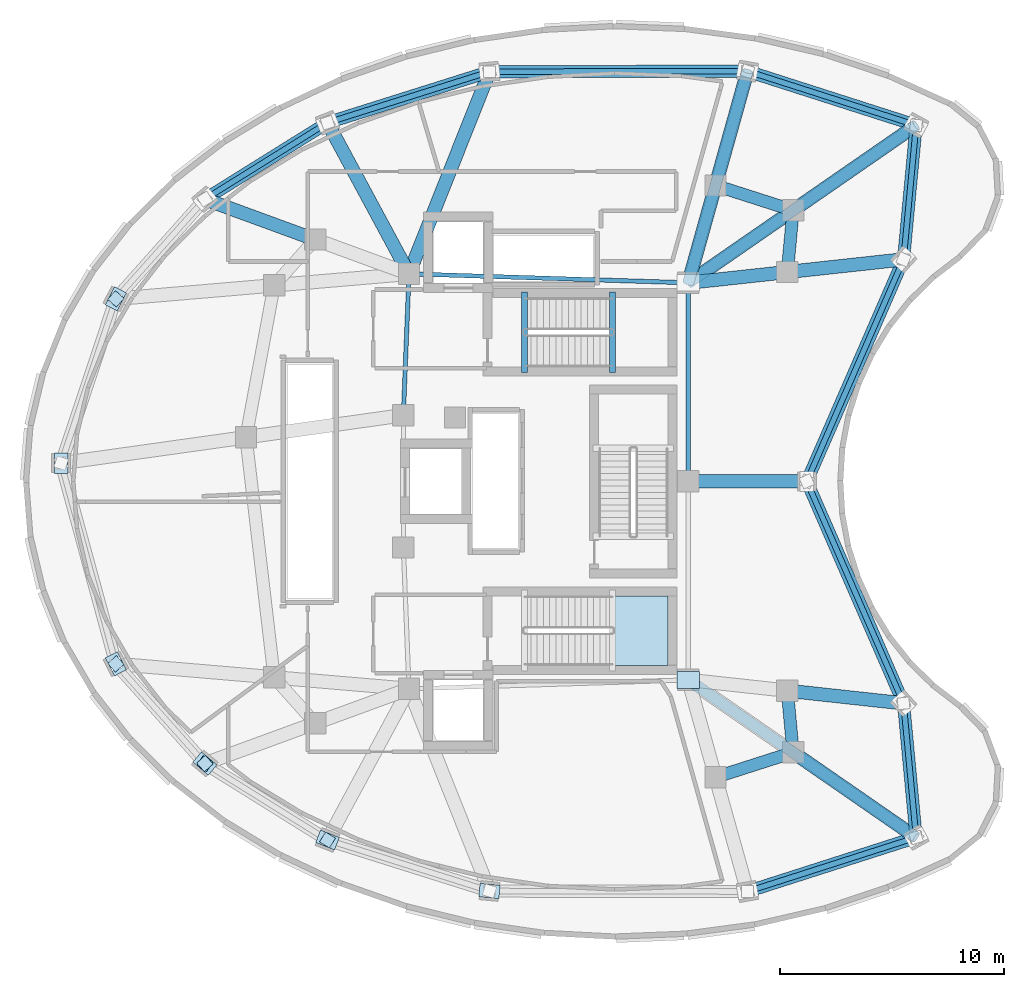
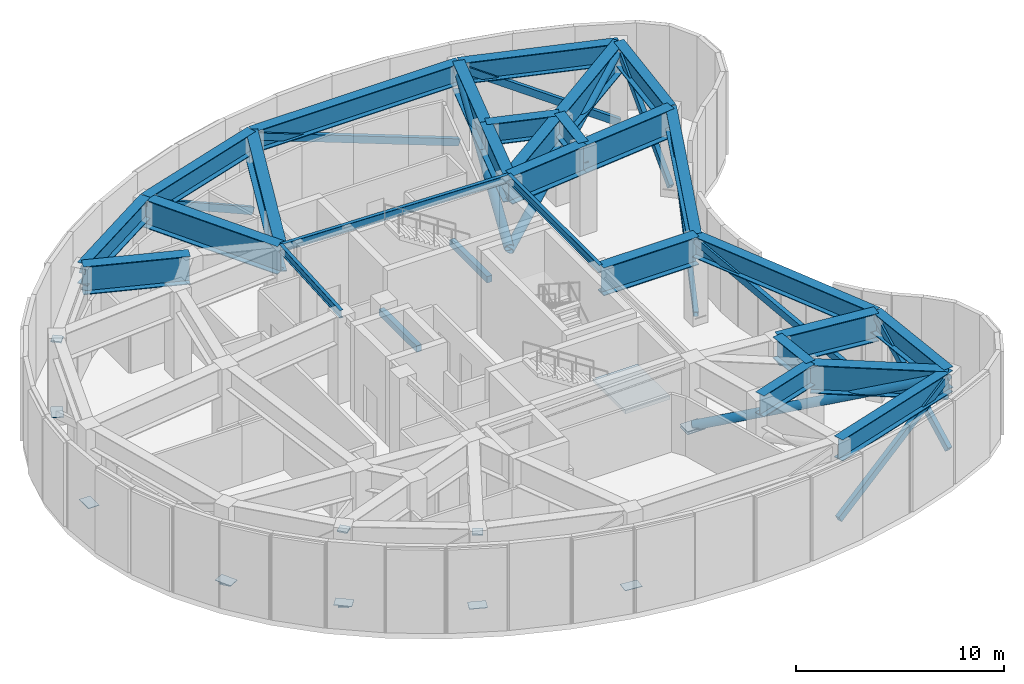
# One storey, part 2 of 9: 30 beams, 13 plates, 12 members, 1 slab, 1 element without a shape of its own.
"""IFC4 building model written with IfcOpenShell, lengths in metres."""

from ifc_helpers import new_model, si_unit, direction, frame, origin, origin_2d, place, context, subcontext, project, spatial, polyline, rectangle, hollow_rectangle, hollow_circle, i_section, outline, extrude, material, layer, layer_set, material_profile, profile_set, type_object, element, aggregate, save


model = new_model("IFC4")

# Units and contexts
model_context = context("Model", 3, precision=1e-05, world=origin(), true_north=direction((0.0, 1.0)))
body_context = subcontext(model_context, "Body", "Model", "MODEL_VIEW")
ifc_project = project(units=[si_unit("LENGTHUNIT", "METRE"), si_unit("AREAUNIT", "SQUARE_METRE"), si_unit("VOLUMEUNIT", "CUBIC_METRE"), si_unit("PLANEANGLEUNIT", "RADIAN"), si_unit("MASSUNIT", "GRAM", prefix="KILO")], contexts=[model_context])

# Site, building, storey
site_placement = place(None, origin())
site = spatial("IfcSite", under=ifc_project, at=site_placement, CompositionType="ELEMENT")
building_placement = place(site_placement, origin())
building = spatial("IfcBuilding", under=site, at=building_placement, Name="Korentha Bioscience Tower", CompositionType="ELEMENT")
storey_placement = place(building_placement, frame((0.0, 0.0, 277.199951171875)))
storey = spatial("IfcBuildingStorey", under=building, at=storey_placement, Name="L64", CompositionType="ELEMENT", Elevation=277.199951171875)

# Members
ifc_material_1 = material(Name="Steel S355", Category="steel")
ifc_material_profile_1 = material_profile(ifc_material_1, hollow_rectangle(XDim=0.25, YDim=0.39990234375, WallThickness=0.02001953125, at=origin_2d()), Name="Steel S355")
ifc_profile_set_1 = profile_set([ifc_material_profile_1], Name="Steel S355 (BT-D400)")
member_type_1 = type_object("IfcMemberType", Name="Belt-Truss Web Diagonal RHS 400x250x20", PredefinedType="BRACE", material=ifc_profile_set_1)
member_1_placement = place(storey_placement, frame((47.7060546875, 42.873046875, 0.35009765625), z_axis=(-0.831782855289, 0.266598454462, 0.486890691763), x_axis=(-0.305220120468, -0.952281827014, 0.0)))
element("IfcMember", 1, at=member_1_placement, inside=storey, type_object=member_type_1, Name="L64 Perimeter Belt-Truss Diagonal 01", PredefinedType="BRACE", context=body_context, shape_type="SweptSolid", body=[
    extrude(hollow_rectangle(XDim=0.25, YDim=0.39990234375, WallThickness=0.02001953125, at=origin_2d()), origin(), (0.0, 0.0, 1.0), 9.03662109375),
])
member_2_placement = place(storey_placement, frame((40.189453125, 45.2822265625, 0.35009765625), z_axis=(-0.933988543115, -0.001744661257, 0.357298695054), x_axis=(0.001867965325, -0.999998255351, 0.0)))
element("IfcMember", 2, at=member_2_placement, inside=storey, type_object=member_type_1, Name="L64 Perimeter Belt-Truss Diagonal 02", PredefinedType="BRACE", context=body_context, shape_type="SweptSolid", body=[
    extrude(hollow_rectangle(XDim=0.25, YDim=0.39990234375, WallThickness=0.02001953125, at=origin_2d()), origin(), (0.0, 0.0, 1.0), 12.314453125),
])
member_3_placement = place(storey_placement, frame((28.68798828125, 45.2607421875, 0.35009765625), z_axis=(-0.824596353922, -0.259779501307, 0.502548966568), x_axis=(0.300479877118, -0.953788154386, 0.0)))
element("IfcMember", 3, at=member_3_placement, inside=storey, type_object=member_type_1, Name="L64 Perimeter Belt-Truss Diagonal 03", PredefinedType="BRACE", context=body_context, shape_type="SweptSolid", body=[
    extrude(hollow_rectangle(XDim=0.25, YDim=0.39990234375, WallThickness=0.02001953125, at=origin_2d()), origin(), (0.0, 0.0, 1.0), 8.755126953125),
])
member_4_placement = place(storey_placement, frame((21.468505859375, 42.986328125, 0.35009765625), z_axis=(-0.70070673259, -0.436861915914, 0.564058278307), x_axis=(0.529058264482, -0.848585501162, 0.0)))
element("IfcMember", 4, at=member_4_placement, inside=storey, type_object=member_type_1, Name="L64 Perimeter Belt-Truss Diagonal 04", PredefinedType="BRACE", context=body_context, shape_type="SweptSolid", body=[
    extrude(hollow_rectangle(XDim=0.25, YDim=0.39990234375, WallThickness=0.02001953125, at=origin_2d()), origin(), (0.0, 0.0, 1.0), 7.800537109375),
])
member_5_placement = place(storey_placement, frame((40.189453125, 8.7177734375, 0.35009765625), z_axis=(0.831782855289, 0.266598454462, 0.486890691763), x_axis=(-0.305220120468, 0.952281827014, 0.0)))
element("IfcMember", 5, at=member_5_placement, inside=storey, type_object=member_type_1, Name="L64 Perimeter Belt-Truss Diagonal 12", PredefinedType="BRACE", context=body_context, shape_type="SweptSolid", body=[
    extrude(hollow_rectangle(XDim=0.25, YDim=0.39990234375, WallThickness=0.02001953125, at=origin_2d()), origin(), (0.0, 0.0, 1.0), 9.03662109375),
])
member_6_placement = place(storey_placement, frame((47.7060546875, 11.126953125, 0.35009765625), z_axis=(-0.075307823332, 0.80306478504, 0.591113933834), x_axis=(-0.995631863809, -0.093365902602, 0.0)))
element("IfcMember", 6, at=member_6_placement, inside=storey, type_object=member_type_1, Name="L64 Perimeter Belt-Truss Diagonal 13", PredefinedType="BRACE", context=body_context, shape_type="SweptSolid", body=[
    extrude(hollow_rectangle(XDim=0.25, YDim=0.39990234375, WallThickness=0.02001953125, at=origin_2d()), origin(), (0.0, 0.0, 1.0), 7.443359375),
])
for number, where, z_axis, x_axis, name in (
    (7, (47.1455078125, 17.1044921875, 0.35009765625), (-0.369887659972, 0.848940353, 0.377469728653), (-0.916760533296, -0.399437259894, 0.0), "L64 Perimeter Belt-Truss Diagonal 14"),
    (8, (42.833984375, 27.0, 0.35009765625), (0.369887659972, 0.848940353, 0.377469728653), (-0.916760533296, 0.399437259894, 0.0), "L64 Perimeter Belt-Truss Diagonal 15"),
):
    element("IfcMember", number, at=place(storey_placement, frame(where, z_axis=z_axis, x_axis=x_axis)), inside=storey, type_object=member_type_1, Name=name, PredefinedType="BRACE", context=body_context, shape_type="SweptSolid", body=[
        extrude(hollow_rectangle(XDim=0.25, YDim=0.39990234375, WallThickness=0.02001953125, at=origin_2d()), origin(), (0.0, 0.0, 1.0), 11.65625),
    ])
member_7_placement = place(storey_placement, frame((47.1455078125, 36.8955078125, 0.35009765625), z_axis=(0.075307823332, 0.80306478504, 0.591113933834), x_axis=(-0.995631863809, 0.093365902602, 0.0)))
element("IfcMember", 9, at=member_7_placement, inside=storey, type_object=member_type_1, Name="L64 Perimeter Belt-Truss Diagonal 16", PredefinedType="BRACE", context=body_context, shape_type="SweptSolid", body=[
    extrude(hollow_rectangle(XDim=0.25, YDim=0.39990234375, WallThickness=0.02001953125, at=origin_2d()), origin(), (0.0, 0.0, 1.0), 7.443359375),
])

# Beams
ifc_material_2 = material(Name="Concrete C50", Category="concrete")
ifc_material_profile_2 = material_profile(ifc_material_2, rectangle(XDim=0.280029296875, YDim=0.3798828125, at=origin_2d()), Name="Concrete C50")
ifc_profile_set_2 = profile_set([ifc_material_profile_2], Name="Concrete C50 (ST-HB380)")
beam_type_1 = type_object("IfcBeamType", Name="Concrete Stair Header Beam RC 280x380", PredefinedType="BEAM", material=ifc_profile_set_2)
for number, where, z_axis, x_axis, name in (
    (10, (30.25, 31.85009765625, -0.18994140625), (0.0, 1.0, 0.0), (-1.0, 0.0, 0.0), "L64 ST-1 Concrete Stair Header Beam"),
    (11, (34.169921875, 31.85009765625, 2.510009765625), (0.0, 1.0, 0.0), (-1.0, 0.0, 0.0), "L64 ST-1 Half-Landing Header Beam 1"),
):
    element("IfcBeam", number, at=place(storey_placement, frame(where, z_axis=z_axis, x_axis=x_axis)), inside=storey, type_object=beam_type_1, Name=name, PredefinedType="BEAM", context=body_context, shape_type="SweptSolid", body=[
        extrude(rectangle(XDim=0.280029296875, YDim=0.3798828125, at=origin_2d()), origin(), (0.0, 0.0, 1.0), 3.599853515625),
    ])
ifc_material_profile_3 = material_profile(ifc_material_1, i_section(OverallWidth=0.550048828125, OverallDepth=1.25, WebThickness=0.02392578125, FlangeThickness=0.0400390625, at=origin_2d()), Name="Steel S355")
ifc_profile_set_3 = profile_set([ifc_material_profile_3], Name="Steel S355 (TG-03)")
beam_type_2 = type_object("IfcBeamType", Name="Crown Step Transfer Girder CVS 1250x510", PredefinedType="USERDEFINED", material=ifc_profile_set_3)
for number, where, z_axis, x_axis, name in (
    (12, (42.2216796875, 39.08056640625, 4.47509765625), (-0.952264747125, 0.305273404318, 0.0), (-0.305273404318, -0.952264747125, 0.0), "L64 Mid-Ring Tie Girder 01"),
    (13, (38.76416015625, 13.81103515625, 4.47509765625), (0.952264747125, 0.305273404318, 0.0), (-0.305273404318, 0.952264747125, 0.0), "L64 Mid-Ring Tie Girder 12"),
):
    element("IfcBeam", number, at=place(storey_placement, frame(where, z_axis=z_axis, x_axis=x_axis)), inside=storey, type_object=beam_type_2, Name=name, ObjectType="TRANSFER_GIRDER", PredefinedType="USERDEFINED", context=body_context, shape_type="SweptSolid", body=[
        extrude(i_section(OverallWidth=0.550048828125, OverallDepth=1.25, WebThickness=0.02392578125, FlangeThickness=0.0400390625, at=origin_2d()), origin(), (0.0, 0.0, 1.0), 3.630859375),
    ])
for number, where, z_axis, x_axis, name in (
    (14, (42.2216796875, 14.91943359375, 4.47509765625), (-0.093348923855, 0.995633455854, 0.0), (-0.995633455854, -0.093348923855, 0.0), "L64 Mid-Ring Tie Girder 13"),
    (15, (41.9638671875, 36.330810546875, 4.47509765625), (0.093348923855, 0.995633455854, 0.0), (-0.995633455854, 0.093348923855, 0.0), "L64 Mid-Ring Tie Girder 16"),
):
    element("IfcBeam", number, at=place(storey_placement, frame(where, z_axis=z_axis, x_axis=x_axis)), inside=storey, type_object=beam_type_2, Name=name, ObjectType="TRANSFER_GIRDER", PredefinedType="USERDEFINED", context=body_context, shape_type="SweptSolid", body=[
        extrude(i_section(OverallWidth=0.550048828125, OverallDepth=1.25, WebThickness=0.02392578125, FlangeThickness=0.0400390625, at=origin_2d()), origin(), (0.0, 0.0, 1.0), 2.76171875),
    ])
beam_1_placement = place(storey_placement, frame((47.7060546875, 42.873046875, 4.47509765625), z_axis=(-0.952281827014, 0.305220120468, 0.0), x_axis=(-0.305220120468, -0.952281827014, 0.0)))
element("IfcBeam", 16, at=beam_1_placement, inside=storey, type_object=beam_type_2, Name="L64 Perimeter Spandrel Girder 01", ObjectType="TRANSFER_GIRDER", PredefinedType="USERDEFINED", context=body_context, shape_type="SweptSolid", body=[
    extrude(i_section(OverallWidth=0.550048828125, OverallDepth=1.25, WebThickness=0.02392578125, FlangeThickness=0.0400390625, at=origin_2d()), origin(), (0.0, 0.0, 1.0), 7.893310546875),
])
beam_2_placement = place(storey_placement, frame((40.189453125, 45.2822265625, 4.47509765625), z_axis=(-0.999998255351, -0.001867965325, 0.0), x_axis=(0.001867965325, -0.999998255351, 0.0)))
element("IfcBeam", 17, at=beam_2_placement, inside=storey, type_object=beam_type_2, Name="L64 Perimeter Spandrel Girder 02", ObjectType="TRANSFER_GIRDER", PredefinedType="USERDEFINED", context=body_context, shape_type="SweptSolid", body=[
    extrude(i_section(OverallWidth=0.550048828125, OverallDepth=1.25, WebThickness=0.02392578125, FlangeThickness=0.0400390625, at=origin_2d()), origin(), (0.0, 0.0, 1.0), 11.50146484375),
])
beam_3_placement = place(storey_placement, frame((28.68798828125, 45.2607421875, 4.47509765625), z_axis=(-0.953788154386, -0.300479877118, 0.0), x_axis=(0.300479877118, -0.953788154386, 0.0)))
element("IfcBeam", 18, at=beam_3_placement, inside=storey, type_object=beam_type_2, Name="L64 Perimeter Spandrel Girder 03", ObjectType="TRANSFER_GIRDER", PredefinedType="USERDEFINED", context=body_context, shape_type="SweptSolid", body=[
    extrude(i_section(OverallWidth=0.550048828125, OverallDepth=1.25, WebThickness=0.02392578125, FlangeThickness=0.0400390625, at=origin_2d()), origin(), (0.0, 0.0, 1.0), 7.5693359375),
])
beam_4_placement = place(storey_placement, frame((21.468505859375, 42.986328125, 4.47509765625), z_axis=(-0.848585501162, -0.529058264482, 0.0), x_axis=(0.529058264482, -0.848585501162, 0.0)))
element("IfcBeam", 19, at=beam_4_placement, inside=storey, type_object=beam_type_2, Name="L64 Perimeter Spandrel Girder 04", ObjectType="TRANSFER_GIRDER", PredefinedType="USERDEFINED", context=body_context, shape_type="SweptSolid", body=[
    extrude(i_section(OverallWidth=0.550048828125, OverallDepth=1.25, WebThickness=0.02392578125, FlangeThickness=0.0400390625, at=origin_2d()), origin(), (0.0, 0.0, 1.0), 6.441162109375),
])
beam_5_placement = place(storey_placement, frame((40.189453125, 8.7177734375, 4.47509765625), z_axis=(0.952281827014, 0.305220120468, 0.0), x_axis=(-0.305220120468, 0.952281827014, 0.0)))
element("IfcBeam", 20, at=beam_5_placement, inside=storey, type_object=beam_type_2, Name="L64 Perimeter Spandrel Girder 12", ObjectType="TRANSFER_GIRDER", PredefinedType="USERDEFINED", context=body_context, shape_type="SweptSolid", body=[
    extrude(i_section(OverallWidth=0.550048828125, OverallDepth=1.25, WebThickness=0.02392578125, FlangeThickness=0.0400390625, at=origin_2d()), origin(), (0.0, 0.0, 1.0), 7.893310546875),
])
beam_6_placement = place(storey_placement, frame((47.7060546875, 11.126953125, 4.47509765625), z_axis=(-0.093365902602, 0.995631863809, 0.0), x_axis=(-0.995631863809, -0.093365902602, 0.0)))
element("IfcBeam", 21, at=beam_6_placement, inside=storey, type_object=beam_type_2, Name="L64 Perimeter Spandrel Girder 13", ObjectType="TRANSFER_GIRDER", PredefinedType="USERDEFINED", context=body_context, shape_type="SweptSolid", body=[
    extrude(i_section(OverallWidth=0.550048828125, OverallDepth=1.25, WebThickness=0.02392578125, FlangeThickness=0.0400390625, at=origin_2d()), origin(), (0.0, 0.0, 1.0), 6.003662109375),
])
for number, where, z_axis, x_axis, name in (
    (22, (47.1455078125, 17.1044921875, 4.47509765625), (-0.399437259894, 0.916760533296, 0.0), (-0.916760533296, -0.399437259894, 0.0), "L64 Perimeter Spandrel Girder 14"),
    (23, (42.833984375, 27.0, 4.47509765625), (0.399437259894, 0.916760533296, 0.0), (-0.916760533296, 0.399437259894, 0.0), "L64 Perimeter Spandrel Girder 15"),
):
    element("IfcBeam", number, at=place(storey_placement, frame(where, z_axis=z_axis, x_axis=x_axis)), inside=storey, type_object=beam_type_2, Name=name, ObjectType="TRANSFER_GIRDER", PredefinedType="USERDEFINED", context=body_context, shape_type="SweptSolid", body=[
        extrude(i_section(OverallWidth=0.550048828125, OverallDepth=1.25, WebThickness=0.02392578125, FlangeThickness=0.0400390625, at=origin_2d()), origin(), (0.0, 0.0, 1.0), 10.7939453125),
    ])
beam_7_placement = place(storey_placement, frame((47.1455078125, 36.8955078125, 4.47509765625), z_axis=(0.093365902602, 0.995631863809, 0.0), x_axis=(-0.995631863809, 0.093365902602, 0.0)))
element("IfcBeam", 24, at=beam_7_placement, inside=storey, type_object=beam_type_2, Name="L64 Perimeter Spandrel Girder 16", ObjectType="TRANSFER_GIRDER", PredefinedType="USERDEFINED", context=body_context, shape_type="SweptSolid", body=[
    extrude(i_section(OverallWidth=0.550048828125, OverallDepth=1.25, WebThickness=0.02392578125, FlangeThickness=0.0400390625, at=origin_2d()), origin(), (0.0, 0.0, 1.0), 6.003662109375),
])
ifc_material_profile_4 = material_profile(ifc_material_1, i_section(OverallWidth=0.60009765625, OverallDepth=1.64990234375, WebThickness=0.02587890625, FlangeThickness=0.0439453125, at=origin_2d()), Name="Steel S355")
ifc_profile_set_4 = profile_set([ifc_material_profile_4], Name="Steel S355 (TG-04)")
beam_type_3 = type_object("IfcBeamType", Name="Deep Setback Transfer Girder CVS 1650x620", PredefinedType="USERDEFINED", material=ifc_profile_set_4)
beam_8_placement = place(storey_placement, frame((37.550048828125, 35.85009765625, 4.275146484375), z_axis=(0.822500009141, 0.56876509647, 0.0), x_axis=(-0.56876509647, 0.822500009141, 0.0)))
element("IfcBeam", 25, at=beam_8_placement, inside=storey, type_object=beam_type_3, Name="L64 Inner Radial Transfer Girder 01", ObjectType="TRANSFER_GIRDER", PredefinedType="USERDEFINED", context=body_context, shape_type="SweptSolid", body=[
    extrude(i_section(OverallWidth=0.60009765625, OverallDepth=1.64990234375, WebThickness=0.02587890625, FlangeThickness=0.0439453125, at=origin_2d()), origin(), (0.0, 0.0, 1.0), 5.6796875),
])
beam_9_placement = place(storey_placement, frame((42.2216796875, 39.08056640625, 4.275146484375), z_axis=(0.822500508627, 0.568764374155, 0.0), x_axis=(-0.568764374155, 0.822500508627, 0.0)))
element("IfcBeam", 26, at=beam_9_placement, inside=storey, type_object=beam_type_3, Name="L64 Outer Radial Transfer Girder 01", ObjectType="TRANSFER_GIRDER", PredefinedType="USERDEFINED", context=body_context, shape_type="SweptSolid", body=[
    extrude(i_section(OverallWidth=0.60009765625, OverallDepth=1.64990234375, WebThickness=0.02587890625, FlangeThickness=0.0439453125, at=origin_2d()), origin(), (0.0, 0.0, 1.0), 6.66796875),
])
beam_10_placement = place(storey_placement, frame((37.550048828125, 35.85009765625, 4.275146484375), z_axis=(0.269471139951, 0.963008465556, 0.0), x_axis=(-0.963008465556, 0.269471139951, 0.0)))
element("IfcBeam", 27, at=beam_10_placement, inside=storey, type_object=beam_type_3, Name="L64 Inner Radial Transfer Girder 02", ObjectType="TRANSFER_GIRDER", PredefinedType="USERDEFINED", context=body_context, shape_type="SweptSolid", body=[
    extrude(i_section(OverallWidth=0.60009765625, OverallDepth=1.64990234375, WebThickness=0.02587890625, FlangeThickness=0.0439453125, at=origin_2d()), origin(), (0.0, 0.0, 1.0), 4.505615234375),
])
beam_11_placement = place(storey_placement, frame((38.76416015625, 40.18896484375, 4.275146484375), z_axis=(0.26948609841, 0.963004279723, 0.0), x_axis=(-0.963004279723, 0.26948609841, 0.0)))
element("IfcBeam", 28, at=beam_11_placement, inside=storey, type_object=beam_type_3, Name="L64 Outer Radial Transfer Girder 02", ObjectType="TRANSFER_GIRDER", PredefinedType="USERDEFINED", context=body_context, shape_type="SweptSolid", body=[
    extrude(i_section(OverallWidth=0.60009765625, OverallDepth=1.64990234375, WebThickness=0.02587890625, FlangeThickness=0.0439453125, at=origin_2d()), origin(), (0.0, 0.0, 1.0), 5.288818359375),
])
beam_12_placement = place(storey_placement, frame((25.10009765625, 36.25, 4.275146484375), z_axis=(0.369931961537, 0.929058848423, 0.0), x_axis=(-0.929058848423, 0.369931961537, 0.0)))
element("IfcBeam", 29, at=beam_12_placement, inside=storey, type_object=beam_type_3, Name="L64 Radial Transfer Girder 03", ObjectType="TRANSFER_GIRDER", PredefinedType="USERDEFINED", context=body_context, shape_type="SweptSolid", body=[
    extrude(i_section(OverallWidth=0.60009765625, OverallDepth=1.64990234375, WebThickness=0.02587890625, FlangeThickness=0.0439453125, at=origin_2d()), origin(), (0.0, 0.0, 1.0), 9.69873046875),
])
beam_13_placement = place(storey_placement, frame((25.10009765625, 36.25, 4.275146484375), z_axis=(-0.474539218542, 0.880234360875, 0.0), x_axis=(-0.880234360875, -0.474539218542, 0.0)))
element("IfcBeam", 30, at=beam_13_placement, inside=storey, type_object=beam_type_3, Name="L64 Radial Transfer Girder 04", ObjectType="TRANSFER_GIRDER", PredefinedType="USERDEFINED", context=body_context, shape_type="SweptSolid", body=[
    extrude(i_section(OverallWidth=0.60009765625, OverallDepth=1.64990234375, WebThickness=0.02587890625, FlangeThickness=0.0439453125, at=origin_2d()), origin(), (0.0, 0.0, 1.0), 7.65283203125),
])
beam_14_placement = place(storey_placement, frame((20.915283203125, 37.78125, 4.275146484375), z_axis=(-0.939118444477, 0.343593578583, 0.0), x_axis=(-0.343593578583, -0.939118444477, 0.0)))
element("IfcBeam", 31, at=beam_14_placement, inside=storey, type_object=beam_type_3, Name="L64 Outer Radial Transfer Girder 05", ObjectType="TRANSFER_GIRDER", PredefinedType="USERDEFINED", context=body_context, shape_type="SweptSolid", body=[
    extrude(i_section(OverallWidth=0.60009765625, OverallDepth=1.64990234375, WebThickness=0.02587890625, FlangeThickness=0.0439453125, at=origin_2d()), origin(), (0.0, 0.0, 1.0), 5.23095703125),
])
beam_15_placement = place(storey_placement, frame((42.2216796875, 14.91943359375, 4.275146484375), z_axis=(0.822500508627, -0.568764374155, 0.0), x_axis=(0.568764374155, 0.822500508627, 0.0)))
element("IfcBeam", 32, at=beam_15_placement, inside=storey, type_object=beam_type_3, Name="L64 Outer Radial Transfer Girder 13", ObjectType="TRANSFER_GIRDER", PredefinedType="USERDEFINED", context=body_context, shape_type="SweptSolid", body=[
    extrude(i_section(OverallWidth=0.60009765625, OverallDepth=1.64990234375, WebThickness=0.02587890625, FlangeThickness=0.0439453125, at=origin_2d()), origin(), (0.0, 0.0, 1.0), 6.66796875),
])
beam_16_placement = place(storey_placement, frame((41.9638671875, 17.669189453125, 4.275146484375), z_axis=(0.994114014358, -0.108338942481, 0.0), x_axis=(0.108338942481, 0.994114014358, 0.0)))
element("IfcBeam", 33, at=beam_16_placement, inside=storey, type_object=beam_type_3, Name="L64 Outer Radial Transfer Girder 14", ObjectType="TRANSFER_GIRDER", PredefinedType="USERDEFINED", context=body_context, shape_type="SweptSolid", body=[
    extrude(i_section(OverallWidth=0.60009765625, OverallDepth=1.64990234375, WebThickness=0.02587890625, FlangeThickness=0.0439453125, at=origin_2d()), origin(), (0.0, 0.0, 1.0), 5.21240234375),
])
beam_17_placement = place(storey_placement, frame((37.550048828125, 27.0, 4.275146484375), z_axis=(1.0, 0.0, 0.0), x_axis=(0.0, 1.0, 0.0)))
element("IfcBeam", 34, at=beam_17_placement, inside=storey, type_object=beam_type_3, Name="L64 Radial Transfer Girder 15", ObjectType="TRANSFER_GIRDER", PredefinedType="USERDEFINED", context=body_context, shape_type="SweptSolid", body=[
    extrude(i_section(OverallWidth=0.60009765625, OverallDepth=1.64990234375, WebThickness=0.02587890625, FlangeThickness=0.0439453125, at=origin_2d()), origin(), (0.0, 0.0, 1.0), 5.283935546875),
])
beam_18_placement = place(storey_placement, frame((37.550048828125, 35.85009765625, 4.275146484375), z_axis=(0.994121454153, 0.108270653423, 0.0), x_axis=(-0.108270653423, 0.994121454153, 0.0)))
element("IfcBeam", 35, at=beam_18_placement, inside=storey, type_object=beam_type_3, Name="L64 Inner Radial Transfer Girder 16", ObjectType="TRANSFER_GIRDER", PredefinedType="USERDEFINED", context=body_context, shape_type="SweptSolid", body=[
    extrude(i_section(OverallWidth=0.60009765625, OverallDepth=1.64990234375, WebThickness=0.02587890625, FlangeThickness=0.0439453125, at=origin_2d()), origin(), (0.0, 0.0, 1.0), 4.43994140625),
])
beam_19_placement = place(storey_placement, frame((41.9638671875, 36.330810546875, 4.275146484375), z_axis=(0.994114014358, 0.108338942481, 0.0), x_axis=(-0.108338942481, 0.994114014358, 0.0)))
element("IfcBeam", 36, at=beam_19_placement, inside=storey, type_object=beam_type_3, Name="L64 Outer Radial Transfer Girder 16", ObjectType="TRANSFER_GIRDER", PredefinedType="USERDEFINED", context=body_context, shape_type="SweptSolid", body=[
    extrude(i_section(OverallWidth=0.60009765625, OverallDepth=1.64990234375, WebThickness=0.02587890625, FlangeThickness=0.0439453125, at=origin_2d()), origin(), (0.0, 0.0, 1.0), 5.21240234375),
])
ifc_material_profile_5 = material_profile(ifc_material_1, i_section(OverallWidth=0.18994140625, OverallDepth=0.45703125, WebThickness=0.009033203125, FlangeThickness=0.014404296875, at=origin_2d()), Name="Steel S355")
ifc_profile_set_5 = profile_set([ifc_material_profile_5], Name="Steel S355 (MB-460)")
beam_type_4 = type_object("IfcBeamType", Name="Mid-Ring Tie Girder W460x74", PredefinedType="BEAM", material=ifc_profile_set_5)
beam_20_placement = place(storey_placement, frame((37.550048828125, 35.85009765625, 4.87158203125), z_axis=(-0.999484526071, 0.032104238723, 0.0), x_axis=(-0.032104238723, -0.999484526071, 0.0)))
element("IfcBeam", 37, at=beam_20_placement, inside=storey, type_object=beam_type_4, Name="L64 Core Ring Tie Girder 01", PredefinedType="BEAM", context=body_context, shape_type="SweptSolid", body=[
    extrude(i_section(OverallWidth=0.18994140625, OverallDepth=0.45703125, WebThickness=0.009033203125, FlangeThickness=0.014404296875, at=origin_2d()), origin(), (0.0, 0.0, 1.0), 12.456298828125),
])
beam_21_placement = place(storey_placement, frame((25.10009765625, 36.25, 4.87158203125), z_axis=(-0.039651025576, -0.999213588864, 0.0), x_axis=(0.999213588864, -0.039651025576, 0.0)))
element("IfcBeam", 38, at=beam_21_placement, inside=storey, type_object=beam_type_4, Name="L64 Core Ring Tie Girder 02", PredefinedType="BEAM", context=body_context, shape_type="SweptSolid", body=[
    extrude(i_section(OverallWidth=0.18994140625, OverallDepth=0.45703125, WebThickness=0.009033203125, FlangeThickness=0.014404296875, at=origin_2d()), origin(), (0.0, 0.0, 1.0), 6.304931640625),
])
beam_22_placement = place(storey_placement, frame((37.550048828125, 27.0, 4.87158203125), z_axis=(0.0, 1.0, 0.0), x_axis=(-1.0, 0.0, 0.0)))
element("IfcBeam", 39, at=beam_22_placement, inside=storey, type_object=beam_type_4, Name="L64 Core Ring Tie Girder 07", PredefinedType="BEAM", context=body_context, shape_type="SweptSolid", body=[
    extrude(i_section(OverallWidth=0.18994140625, OverallDepth=0.45703125, WebThickness=0.009033203125, FlangeThickness=0.014404296875, at=origin_2d()), origin(), (0.0, 0.0, 1.0), 8.85009765625),
])

# Members
ifc_material_profile_6 = material_profile(ifc_material_1, hollow_circle(Radius=0.25390625, WallThickness=0.02490234375, at=origin_2d()), Name="Steel S355")
ifc_profile_set_6 = profile_set([ifc_material_profile_6], Name="Steel S355 (OU-508)")
member_type_2 = type_object("IfcMemberType", Name="Outrigger Diagonal Brace CHS 508x25", PredefinedType="USERDEFINED", material=ifc_profile_set_6)
member_8_placement = place(storey_placement, frame((37.550048828125, 35.85009765625, 0.60009765625), z_axis=(0.781533796256, 0.540436096615, 0.311662880023), x_axis=(-0.568764706411, 0.82250027887, 0.0)))
element("IfcMember", 40, at=member_8_placement, inside=storey, type_object=member_type_2, Name="L64 Outrigger Truss Diagonal 01", ObjectType="OUTRIGGER", PredefinedType="USERDEFINED", context=body_context, shape_type="SweptSolid", body=[
    extrude(hollow_circle(Radius=0.25390625, WallThickness=0.02490234375, at=origin_2d()), origin(), (0.0, 0.0, 1.0), 12.994873046875),
])
member_9_placement = place(storey_placement, frame((37.550048828125, 35.85009765625, 0.75), z_axis=(0.250360343685, 0.89468333345, 0.369947876271), x_axis=(-0.96300620527, 0.269479217404, 0.0)))
element("IfcMember", 41, at=member_9_placement, inside=storey, type_object=member_type_2, Name="L64 Outrigger Truss Diagonal 02", ObjectType="OUTRIGGER", PredefinedType="USERDEFINED", context=body_context, shape_type="SweptSolid", body=[
    extrude(hollow_circle(Radius=0.25390625, WallThickness=0.02490234375, at=origin_2d()), origin(), (0.0, 0.0, 1.0), 10.54248046875),
])
member_10_placement = place(storey_placement, frame((37.550048828125, 18.14990234375, 1.050048828125), z_axis=(0.789622982151, -0.546029825345, 0.279905298079), x_axis=(0.568764706411, 0.82250027887, 0.0)))
element("IfcMember", 42, at=member_10_placement, inside=storey, type_object=member_type_2, Name="L64 Outrigger Truss Diagonal 04", ObjectType="OUTRIGGER", PredefinedType="USERDEFINED", context=body_context, shape_type="SweptSolid", body=[
    extrude(hollow_circle(Radius=0.25390625, WallThickness=0.02490234375, at=origin_2d()), origin(), (0.0, 0.0, 1.0), 12.86181640625),
])

# Plates
ifc_layer_1 = layer(ifc_material_1, 0.031982421875, Name="Steel S355")
ifc_layer_set_1 = layer_set([ifc_layer_1], Name="Steel S355 (KN-01)")
plate_type_1 = type_object("IfcPlateType", Name="Belt-Truss Kink Gusset Plate 900x600x32", PredefinedType="USERDEFINED", material=ifc_layer_set_1)
for number, where, z_axis, x_axis, name in (
    (43, (12.034423828125, 35.135986328125, 0.43408203125), (0.0, 0.0, 1.0), (0.453057191132, 0.891481453292, 0.0), "L64 Belt-Truss Kink Node Gusset KN-06"),
    (44, (9.597412109375, 27.810302734375, 0.43408203125), (0.0, 0.0, 1.0), (0.0, 1.0, 0.0), "L64 Belt-Truss Kink Node Gusset KN-07"),
    (45, (12.034423828125, 18.864013671875, 0.43408203125), (0.0, 0.0, 1.0), (-0.453057191132, 0.891481453292, 0.0), "L64 Belt-Truss Kink Node Gusset KN-08"),
    (46, (16.002685546875, 14.42138671875, 0.43408203125), (0.0, 0.0, 1.0), (-0.764246456939, 0.644924300253, 0.0), "L64 Belt-Truss Kink Node Gusset KN-09"),
    (47, (21.468505859375, 11.013671875, 0.43408203125), (0.0, 0.0, 1.0), (-0.930225540858, 0.366988341962, 0.0), "L64 Belt-Truss Kink Node Gusset KN-10"),
    (48, (28.68798828125, 8.7392578125, 0.43408203125), (0.0, 0.0, 1.0), (-0.995462868748, 0.095150811579, 0.0), "L64 Belt-Truss Kink Node Gusset KN-11"),
):
    element("IfcPlate", number, at=place(storey_placement, frame(where, z_axis=z_axis, x_axis=x_axis)), inside=storey, type_object=plate_type_1, Name=name, ObjectType="GUSSET_PLATE", PredefinedType="USERDEFINED", context=body_context, shape_type="SweptSolid", body=[
        extrude(rectangle(XDim=0.89990234375, YDim=0.60009765625, at=origin_2d()), origin(), (0.0, 0.0, 1.0), 0.031982421875),
    ])
ifc_layer_2 = layer(ifc_material_1, 0.080078125, Name="Steel S355")
ifc_layer_set_2 = layer_set([ifc_layer_2], Name="Steel S355 (CP-01)")
plate_type_2 = type_object("IfcPlateType", Name="Hollow Section End Cap Plate 520x520x80", PredefinedType="USERDEFINED", material=ifc_layer_set_2)
for number, where, z_axis, x_axis, name in (
    (49, (12.034423828125, 35.135986328125, 4.7099609375), (0.0, 0.0, 1.0), (0.66614204858, 0.745824893064, 0.0), "L64 Belt-Truss 05 End Cap 2"),
    (50, (12.034423828125, 18.864013671875, 0.31005859375), (0.0, 0.0, 1.0), (-0.66614204858, 0.745824893064, 0.0), "L64 Belt-Truss 08 End Cap 1"),
    (51, (16.002685546875, 14.42138671875, 4.7099609375), (0.0, 0.0, 1.0), (-0.66614204858, 0.745824893064, 0.0), "L64 Belt-Truss 08 End Cap 2"),
    (52, (16.002685546875, 14.42138671875, 0.31005859375), (0.0, 0.0, 1.0), (-0.848602561216, 0.529030899945, 0.0), "L64 Belt-Truss 09 End Cap 1"),
    (53, (21.468505859375, 11.013671875, 4.7099609375), (0.0, 0.0, 1.0), (-0.848602561216, 0.529030899945, 0.0), "L64 Belt-Truss 09 End Cap 2"),
):
    element("IfcPlate", number, at=place(storey_placement, frame(where, z_axis=z_axis, x_axis=x_axis)), inside=storey, type_object=plate_type_2, Name=name, ObjectType="CAP_PLATE", PredefinedType="USERDEFINED", context=body_context, shape_type="SweptSolid", body=[
        extrude(rectangle(XDim=0.52001953125, YDim=0.52001953125, at=origin_2d()), origin(), (0.0, 0.0, 1.0), 0.080078125),
    ])

# Stair, slab
ifc_material_3 = material(Name="Precast Concrete C50", Category="concrete")
stair_type = type_object("IfcStairType", Name="Core Exit Dog-Leg Stair 1450", PredefinedType="HALF_TURN_STAIR", material=ifc_material_3)
stair_placement = place(storey_placement, origin())
stair = element("IfcStair", 54, at=stair_placement, inside=storey, type_object=stair_type, Name="L64 Tower South Pressurized Exit Stair ST-2", PredefinedType="HALF_TURN_STAIR")
ifc_layer_3 = layer(ifc_material_2, 0.199951171875, Name="Concrete C50")
ifc_layer_set_3 = layer_set([ifc_layer_3], Name="Concrete C50 (SL-LND)")
slab_type = type_object("IfcSlabType", Name="Landing Slab 200", PredefinedType="LANDING", material=ifc_layer_set_3)
slab_placement = place(storey_placement, frame((0.0, 0.0, 2.5)))
slab = element("IfcSlab", 55, at=slab_placement, type_object=slab_type, Name="ST-2 landing 1", PredefinedType="LANDING", context=body_context, shape_type="SweptSolid", body=[
    extrude(outline(polyline([(34.169921875, 18.800048828125), (36.64990234375, 18.800048828125), (36.64990234375, 21.89990234375), (34.169921875, 21.89990234375), (34.169921875, 18.800048828125)])), origin(), (0.0, 0.0, 1.0), 0.199951171875),
])
aggregate(stair, [slab])

# Plates
ifc_layer_4 = layer(ifc_material_1, 0.035888671875, Name="Steel S355")
ifc_layer_set_4 = layer_set([ifc_layer_4], Name="Steel S355 (KN-02)")
plate_type_3 = type_object("IfcPlateType", Name="Outrigger Core Node Gusset Plate 1000x750x36", PredefinedType="USERDEFINED", material=ifc_layer_set_4)
for number, where, z_axis, x_axis, name in (
    (56, (37.550048828125, 18.14990234375, 0.88232421875), (0.0, 0.0, 1.0), (1.0, 0.0, 0.0), "L64 Outrigger Core Gusset KN-03"),
    (57, (37.550048828125, 18.14990234375, 1.0322265625), (0.0, 0.0, 1.0), (1.0, 0.0, 0.0), "L64 Outrigger Core Gusset KN-04"),
):
    element("IfcPlate", number, at=place(storey_placement, frame(where, z_axis=z_axis, x_axis=x_axis)), inside=storey, type_object=plate_type_3, Name=name, ObjectType="GUSSET_PLATE", PredefinedType="USERDEFINED", context=body_context, shape_type="SweptSolid", body=[
        extrude(rectangle(XDim=1.0, YDim=0.75, at=origin_2d()), origin(), (0.0, 0.0, 1.0), 0.035888671875),
    ])

save(model, "model.ifc")
